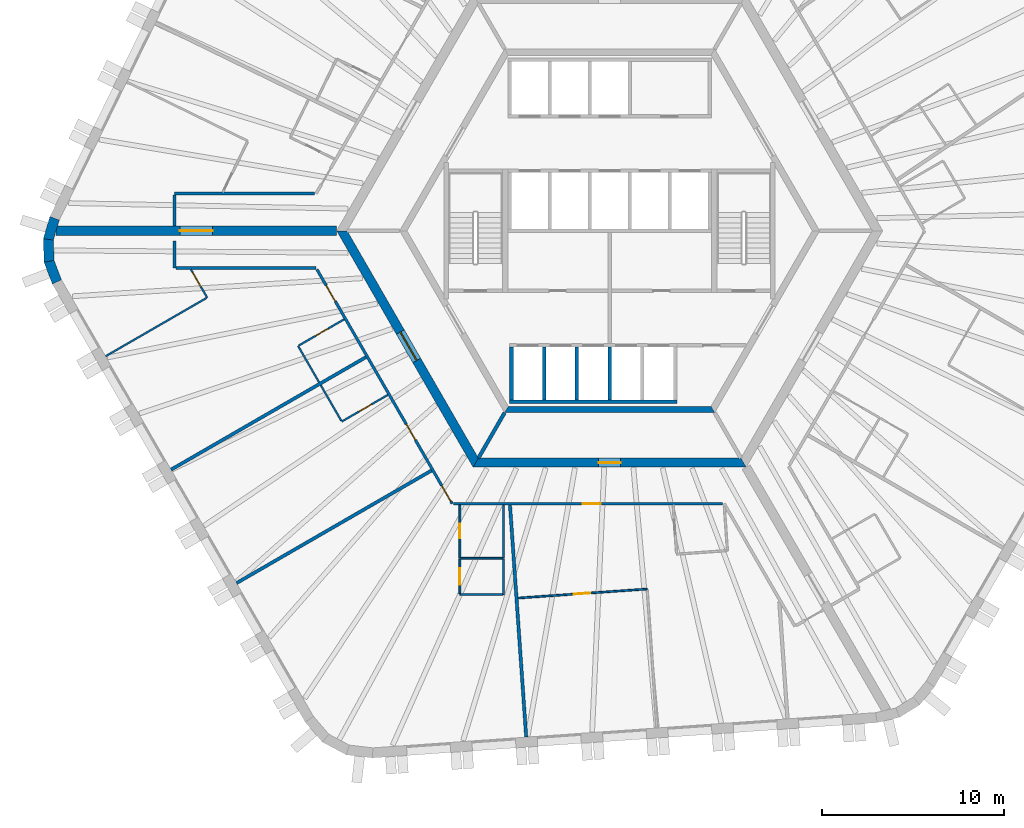
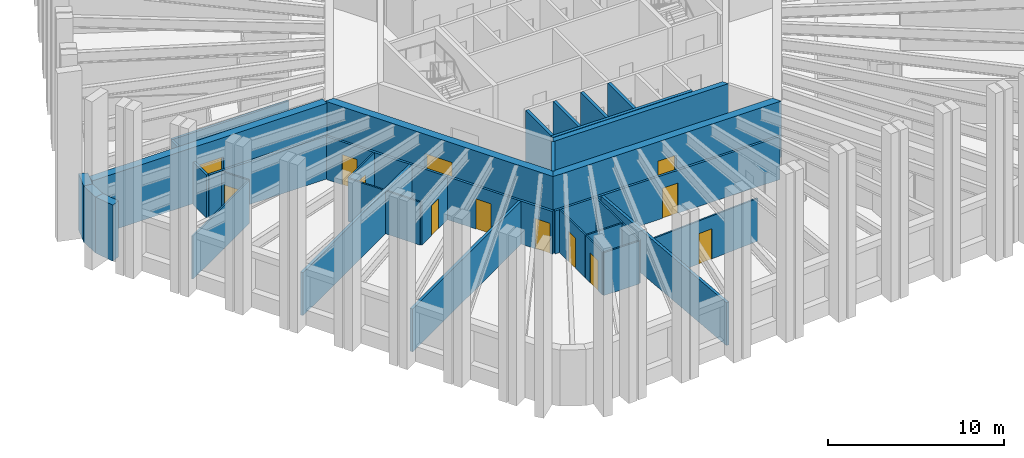
# One storey, part 3 of 11: 35 walls, 13 doors, 13 openings.
"""IFC4 building model written with IfcOpenShell, lengths in metres."""

from ifc_helpers import new_model, si_unit, direction, frame, frame_2d, origin, place, context, subcontext, project, spatial, polyline, rectangle, outline, extrude, material, layer, layer_set, type_object, element, fill, save


model = new_model("IFC4")

# Units and contexts
model_context = context("Model", 3, precision=1e-05, world=origin(), true_north=direction((0.0, 1.0)))
body_context = subcontext(model_context, "Body", "Model", "MODEL_VIEW")
ifc_project = project(units=[si_unit("LENGTHUNIT", "METRE"), si_unit("AREAUNIT", "SQUARE_METRE"), si_unit("VOLUMEUNIT", "CUBIC_METRE"), si_unit("PLANEANGLEUNIT", "RADIAN"), si_unit("MASSUNIT", "GRAM", prefix="KILO")], contexts=[model_context])

# Site, building, storey
site_placement = place(None, origin())
site = spatial("IfcSite", under=ifc_project, at=site_placement, CompositionType="ELEMENT")
building_placement = place(site_placement, origin())
building = spatial("IfcBuilding", under=site, at=building_placement, Name="Tarnside Tower", CompositionType="ELEMENT")
storey_placement = place(building_placement, frame((0.0, 0.0, 183.89990234375)))
storey = spatial("IfcBuildingStorey", under=building, at=storey_placement, Name="L43", CompositionType="ELEMENT", Elevation=183.89990234375)

# Wall
ifc_material_1 = material(Name="Gypsum board partition on steel studs", Category="steel")
ifc_layer_1 = layer(ifc_material_1, 0.10009765625)
ifc_layer_set_1 = layer_set([ifc_layer_1], Name="Bathroom wall 100")
wall_type_1 = type_object("IfcWallType", Name="Bathroom wall 100", PredefinedType="PARTITIONING", material=ifc_layer_set_1)
wall_1_placement = place(storey_placement, frame((-15.974609375, -8.331298828125, 0.0), z_axis=(0.0, 0.0, 1.0), x_axis=(-0.500015210774, 0.866016621662, 0.0)))
element("IfcWall", 1, at=wall_1_placement, inside=storey, type_object=wall_type_1, Name="Bathroom wall 14077", PredefinedType="PARTITIONING", context=body_context, shape_type="SweptSolid", body=[
    extrude(rectangle(XDim=2.31005859375, YDim=0.10009765625, at=frame_2d((1.155029296875, 0.0))), origin(), (0.0, 0.0, 1.0), 2.98779296875),
])

# Wall, opening, door
wall_2_placement = place(storey_placement, frame((-17.086181640625, -6.305908203125, 0.0), z_axis=(0.0, 0.0, 1.0), x_axis=(0.866018712932, 0.500011588718, 0.0)))
wall_2 = element("IfcWall", 2, at=wall_2_placement, inside=storey, type_object=wall_type_1, Name="Bathroom wall 14078", PredefinedType="PARTITIONING", context=body_context, shape_type="SweptSolid", body=[
    extrude(rectangle(XDim=2.875, YDim=0.10009765625, at=frame_2d((1.4375, 0.0))), origin(), (0.0, 0.0, 1.0), 2.98779296875),
])
opening_1_placement = place(wall_2_placement, frame((1.050048828125, 0.0, 0.0)))
opening_1 = element("IfcOpeningElement", 3, at=opening_1_placement, cuts=wall_2, Name="Opening D-B1", PredefinedType="OPENING", context=body_context, shape_type="SweptSolid", body=[
    extrude(rectangle(XDim=0.800048828125, YDim=2.10009765625, at=frame_2d((0.39990234375, 1.050048828125))), frame((0.0, 0.06005859375, 0.0), z_axis=(0.0, -1.0, 0.0), x_axis=(1.0, 0.0, 0.0)), (0.0, 0.0, 1.0), 0.1201171875),
])
ifc_material_2 = material(Name="Timber door leaf", Category="wood")
door_type_1 = type_object("IfcDoorType", Name="Bathroom door 800", OperationType="NOTDEFINED", PredefinedType="DOOR", material=ifc_material_2)
door_1_placement = place(opening_1_placement, origin())
door_1 = element("IfcDoor", 4, at=door_1_placement, inside=storey, type_object=door_type_1, Name="Bathroom door 14014", OperationType="SINGLE_SWING_RIGHT", OverallHeight=2.10009765625, OverallWidth=0.800048828125, PredefinedType="DOOR", context=body_context, shape_type="SweptSolid", body=[
    extrude(rectangle(XDim=0.800048828125, YDim=2.10009765625, at=frame_2d((0.39990234375, 1.050048828125))), frame((0.0, 0.02490234375, 0.0), z_axis=(0.0, -1.0, 0.0), x_axis=(1.0, 0.0, 0.0)), (0.0, 0.0, 1.0), 0.050048828125),
])
fill(opening_1, door_1)

wall_3_placement = place(storey_placement, frame((-12.1962890625, -9.025146484375, 0.0), z_axis=(0.0, 0.0, 1.0), x_axis=(-0.86601045545, -0.500025890382, 0.0)))
wall_3 = element("IfcWall", 5, at=wall_3_placement, inside=storey, type_object=wall_type_1, Name="Bathroom wall 14083", PredefinedType="PARTITIONING", context=body_context, shape_type="SweptSolid", body=[
    extrude(rectangle(XDim=2.925048828125, YDim=0.10009765625, at=frame_2d((1.46240234375, 0.0))), origin(), (0.0, 0.0, 1.0), 2.98779296875),
])
opening_2_placement = place(wall_3_placement, frame((1.02490234375, 0.0, 0.0)))
opening_2 = element("IfcOpeningElement", 6, at=opening_2_placement, cuts=wall_3, Name="Opening D-B1", PredefinedType="OPENING", context=body_context, shape_type="SweptSolid", body=[
    extrude(rectangle(XDim=0.800048828125, YDim=2.10009765625, at=frame_2d((0.39990234375, 1.050048828125))), frame((0.0, 0.06005859375, 0.0), z_axis=(0.0, -1.0, 0.0), x_axis=(1.0, 0.0, 0.0)), (0.0, 0.0, 1.0), 0.1201171875),
])
door_2_placement = place(opening_2_placement, origin())
door_2 = element("IfcDoor", 7, at=door_2_placement, inside=storey, type_object=door_type_1, Name="Bathroom door 14017", OperationType="SINGLE_SWING_RIGHT", OverallHeight=2.10009765625, OverallWidth=0.800048828125, PredefinedType="DOOR", context=body_context, shape_type="SweptSolid", body=[
    extrude(rectangle(XDim=0.800048828125, YDim=2.10009765625, at=frame_2d((0.39990234375, 1.050048828125))), frame((0.0, 0.02490234375, 0.0), z_axis=(0.0, -1.0, 0.0), x_axis=(1.0, 0.0, 0.0)), (0.0, 0.0, 1.0), 0.050048828125),
])
fill(opening_2, door_2)

# Wall
wall_4_placement = place(storey_placement, frame((-14.754638671875, -10.4443359375, 0.0), z_axis=(0.0, 0.0, 1.0), x_axis=(-0.4999967785, 0.866027263711, 0.0)))
element("IfcWall", 8, at=wall_4_placement, inside=storey, type_object=wall_type_1, Name="Bathroom wall 14084", PredefinedType="PARTITIONING", context=body_context, shape_type="SweptSolid", body=[
    extrude(rectangle(XDim=2.259765625, YDim=0.10009765625, at=frame_2d((1.1298828125, 0.0))), origin(), (0.0, 0.0, 1.0), 2.98779296875),
])

# Wall, opening, door
wall_5_placement = place(storey_placement, frame((-8.23486328125, -18.0, 0.0), z_axis=(0.0, 0.0, 1.0), x_axis=(0.0, 1.0, 0.0)))
wall_5 = element("IfcWall", 9, at=wall_5_placement, inside=storey, type_object=wall_type_1, Name="Bathroom wall 14086", PredefinedType="PARTITIONING", context=body_context, shape_type="SweptSolid", body=[
    extrude(rectangle(XDim=2.925048828125, YDim=0.10009765625, at=frame_2d((1.46240234375, 0.0))), origin(), (0.0, 0.0, 1.0), 2.98779296875),
])
opening_3_placement = place(wall_5_placement, frame((1.10009765625, 0.0, 0.0)))
opening_3 = element("IfcOpeningElement", 10, at=opening_3_placement, cuts=wall_5, Name="Opening D-B1", PredefinedType="OPENING", context=body_context, shape_type="SweptSolid", body=[
    extrude(rectangle(XDim=0.800048828125, YDim=2.10009765625, at=frame_2d((0.39990234375, 1.050048828125))), frame((0.0, 0.06005859375, 0.0), z_axis=(0.0, -1.0, 0.0), x_axis=(1.0, 0.0, 0.0)), (0.0, 0.0, 1.0), 0.1201171875),
])
door_3_placement = place(opening_3_placement, origin())
door_3 = element("IfcDoor", 11, at=door_3_placement, inside=storey, type_object=door_type_1, Name="Bathroom door 14019", OperationType="SINGLE_SWING_LEFT", OverallHeight=2.10009765625, OverallWidth=0.800048828125, PredefinedType="DOOR", context=body_context, shape_type="SweptSolid", body=[
    extrude(rectangle(XDim=0.800048828125, YDim=2.10009765625, at=frame_2d((0.39990234375, 1.050048828125))), frame((0.0, 0.02490234375, 0.0), z_axis=(0.0, -1.0, 0.0), x_axis=(1.0, 0.0, 0.0)), (0.0, 0.0, 1.0), 0.050048828125),
])
fill(opening_3, door_3)

# Walls
wall_6_placement = place(storey_placement, frame((-5.8349609375, -15.074951171875, 0.0), z_axis=(0.0, 0.0, 1.0), x_axis=(0.0, -1.0, 0.0)))
element("IfcWall", 12, at=wall_6_placement, inside=storey, type_object=wall_type_1, Name="Bathroom wall 14087", PredefinedType="PARTITIONING", context=body_context, shape_type="SweptSolid", body=[
    extrude(rectangle(XDim=2.925048828125, YDim=0.10009765625, at=frame_2d((1.46240234375, 0.0))), origin(), (0.0, 0.0, 1.0), 2.98779296875),
])
wall_7_placement = place(storey_placement, frame((-8.18505859375, -18.0, 0.0), z_axis=(0.0, 0.0, 1.0), x_axis=(1.0, 0.0, 0.0)))
element("IfcWall", 13, at=wall_7_placement, inside=storey, type_object=wall_type_1, Name="Bathroom wall 14093", PredefinedType="PARTITIONING", context=body_context, shape_type="SweptSolid", body=[
    extrude(rectangle(XDim=2.300048828125, YDim=0.10009765625, at=frame_2d((1.14990234375, 0.0))), origin(), (0.0, 0.0, 1.0), 2.98779296875),
])
ifc_material_3 = material(Name="Concrete C50/60", Category="concrete")
ifc_layer_2 = layer(ifc_material_3, 0.35009765625)
ifc_layer_set_2 = layer_set([ifc_layer_2], Name="Core block wall 350 C50/60")
wall_type_2 = type_object("IfcWallType", Name="Core block wall 350 C50/60", PredefinedType="SHEAR", material=ifc_layer_set_2)
wall_8_placement = place(storey_placement, frame((-5.672607421875, -9.824951171875, -0.14990234375), z_axis=(0.0, 0.0, 1.0), x_axis=(1.0, 0.0, 0.0)))
element("IfcWall", 14, at=wall_8_placement, inside=storey, type_object=wall_type_2, Name="L43 core block wall face 4", PredefinedType="SHEAR", context=body_context, shape_type="SweptSolid", body=[
    extrude(outline(polyline([(-0.10107421875, -0.175048828125), (11.4462890625, -0.175048828125), (11.244140625, 0.175048828125), (0.10107421875, 0.175048828125), (-0.10107421875, -0.175048828125)])), origin(), (0.0, 0.0, 1.0), 3.89990234375),
])

# Wall, opening, door
ifc_material_4 = material(Name="Concrete C70/85", Category="concrete")
ifc_layer_3 = layer(ifc_material_4, 0.5)
ifc_layer_set_3 = layer_set([ifc_layer_3], Name="Core wall Z2 500 C70/85")
wall_type_3 = type_object("IfcWallType", Name="Core wall Z2 500 C70/85", PredefinedType="SHEAR", material=ifc_layer_set_3)
wall_9_placement = place(storey_placement, frame((-14.722412109375, 0.0, -0.14990234375), z_axis=(0.0, 0.0, 1.0), x_axis=(0.50000571537, -0.866022103989, 0.0)))
wall_9 = element("IfcWall", 15, at=wall_9_placement, inside=storey, type_object=wall_type_3, Name="L43 core wall face 3", PredefinedType="SHEAR", context=body_context, shape_type="SweptSolid", body=[
    extrude(outline(polyline([(-0.144287109375, -0.25), (14.86669921875, -0.25), (14.578125, 0.25), (0.144287109375, 0.25), (-0.144287109375, -0.25)])), origin(), (0.0, 0.0, 1.0), 3.89990234375),
])
opening_4_placement = place(wall_9_placement, frame((6.432373046875, 0.0, 0.14990234375)))
opening_4 = element("IfcOpeningElement", 16, at=opening_4_placement, cuts=wall_9, Name="Opening CD-FFL", PredefinedType="OPENING", context=body_context, shape_type="SweptSolid", body=[
    extrude(rectangle(XDim=1.800048828125, YDim=2.39990234375, at=frame_2d((0.89990234375, 1.199951171875))), frame((0.0, 0.260009765625, 0.0), z_axis=(0.0, -1.0, 0.0), x_axis=(1.0, 0.0, 0.0)), (0.0, 0.0, 1.0), 0.52001953125),
])
ifc_material_5 = material(Name="Steel fire door", Category="steel")
door_type_2 = type_object("IfcDoorType", Name="Firefighting lobby double door FD60S 1800x2400", OperationType="NOTDEFINED", PredefinedType="DOOR", material=ifc_material_5)
door_4_placement = place(opening_4_placement, origin())
door_4 = element("IfcDoor", 17, at=door_4_placement, inside=storey, type_object=door_type_2, Name="L43 core door P3", OperationType="DOUBLE_DOOR_SINGLE_SWING", OverallHeight=2.39990234375, OverallWidth=1.800048828125, PredefinedType="DOOR", context=body_context, shape_type="SweptSolid", body=[
    extrude(rectangle(XDim=1.800048828125, YDim=2.39990234375, at=frame_2d((0.89990234375, 1.199951171875))), frame((0.0, 0.02490234375, 0.0), z_axis=(0.0, -1.0, 0.0), x_axis=(1.0, 0.0, 0.0)), (0.0, 0.0, 1.0), 0.050048828125),
])
fill(opening_4, door_4)

wall_10_placement = place(storey_placement, frame((-7.361083984375, -12.75, -0.14990234375), z_axis=(0.0, 0.0, 1.0), x_axis=(1.0, 0.0, 0.0)))
wall_10 = element("IfcWall", 18, at=wall_10_placement, inside=storey, type_object=wall_type_3, Name="L43 core wall face 4", PredefinedType="SHEAR", context=body_context, shape_type="SweptSolid", body=[
    extrude(outline(polyline([(-0.144287109375, -0.25), (14.866455078125, -0.25), (14.577880859375, 0.25), (0.144287109375, 0.25), (-0.144287109375, -0.25)])), origin(), (0.0, 0.0, 1.0), 3.89990234375),
])
opening_5_placement = place(wall_10_placement, frame((6.76123046875, 0.0, 0.14990234375)))
opening_5 = element("IfcOpeningElement", 19, at=opening_5_placement, cuts=wall_10, Name="Opening CD-RSR", PredefinedType="OPENING", context=body_context, shape_type="SweptSolid", body=[
    extrude(rectangle(XDim=1.199951171875, YDim=2.39990234375, at=frame_2d((0.60009765625, 1.199951171875))), frame((0.0, 0.260009765625, 0.0), z_axis=(0.0, -1.0, 0.0), x_axis=(1.0, 0.0, 0.0)), (0.0, 0.0, 1.0), 0.52001953125),
])
door_type_3 = type_object("IfcDoorType", Name="Riser door FD60 1200x2400", OperationType="NOTDEFINED", PredefinedType="DOOR", material=ifc_material_5)
door_5_placement = place(opening_5_placement, origin())
door_5 = element("IfcDoor", 20, at=door_5_placement, inside=storey, type_object=door_type_3, Name="L43 core door S6", OperationType="SINGLE_SWING_LEFT", OverallHeight=2.39990234375, OverallWidth=1.199951171875, PredefinedType="DOOR", context=body_context, shape_type="SweptSolid", body=[
    extrude(rectangle(XDim=1.199951171875, YDim=2.39990234375, at=frame_2d((0.60009765625, 1.199951171875))), frame((0.0, 0.02490234375, 0.0), z_axis=(0.0, -1.0, 0.0), x_axis=(1.0, 0.0, 0.0)), (0.0, 0.0, 1.0), 0.050048828125),
])
fill(opening_5, door_5)

wall_11_placement = place(storey_placement, frame((-15.010986328125, 0.0, -0.14990234375), z_axis=(0.0, 0.0, 1.0), x_axis=(-1.0, 0.0, 0.0)))
wall_11 = element("IfcWall", 21, at=wall_11_placement, inside=storey, type_object=wall_type_3, Name="L43 spine wall 2", PredefinedType="SHEAR", context=body_context, shape_type="SweptSolid", body=[
    extrude(rectangle(XDim=15.423828125, YDim=0.5, at=frame_2d((7.7119140625, 0.0))), origin(), (0.0, 0.0, 1.0), 3.89990234375),
])
opening_6_placement = place(wall_11_placement, frame((6.811767578125, 0.0, 0.14990234375)))
opening_6 = element("IfcOpeningElement", 22, at=opening_6_placement, cuts=wall_11, Name="Opening CD-SPN", PredefinedType="OPENING", context=body_context, shape_type="SweptSolid", body=[
    extrude(rectangle(XDim=1.800048828125, YDim=2.39990234375, at=frame_2d((0.89990234375, 1.199951171875))), frame((0.0, 0.260009765625, 0.0), z_axis=(0.0, -1.0, 0.0), x_axis=(1.0, 0.0, 0.0)), (0.0, 0.0, 1.0), 0.52001953125),
])
door_type_4 = type_object("IfcDoorType", Name="Spine passage double door FD60 1800x2400", OperationType="NOTDEFINED", PredefinedType="DOOR", material=ifc_material_5)
door_6_placement = place(opening_6_placement, origin())
door_6 = element("IfcDoor", 23, at=door_6_placement, inside=storey, type_object=door_type_4, Name="L43 spine passage door 2", OperationType="DOUBLE_DOOR_SINGLE_SWING", OverallHeight=2.39990234375, OverallWidth=1.800048828125, PredefinedType="DOOR", context=body_context, shape_type="SweptSolid", body=[
    extrude(rectangle(XDim=1.800048828125, YDim=2.39990234375, at=frame_2d((0.89990234375, 1.199951171875))), frame((0.0, 0.02490234375, 0.0), z_axis=(0.0, -1.0, 0.0), x_axis=(1.0, 0.0, 0.0)), (0.0, 0.0, 1.0), 0.050048828125),
])
fill(opening_6, door_6)

# Walls
ifc_layer_4 = layer(ifc_material_1, 0.14990234375)
ifc_layer_set_4 = layer_set([ifc_layer_4], Name="Corridor wall 150 EI 60")
wall_type_4 = type_object("IfcWallType", Name="Corridor wall 150 EI 60", PredefinedType="PARTITIONING", material=ifc_layer_set_4)
wall_12_placement = place(storey_placement, frame((-16.2236328125, 2.050048828125, 0.0), z_axis=(0.0, 0.0, 1.0), x_axis=(-1.0, 0.0, 0.0)))
element("IfcWall", 24, at=wall_12_placement, inside=storey, type_object=wall_type_4, Name="Corridor wall 14015", PredefinedType="PARTITIONING", context=body_context, shape_type="SweptSolid", body=[
    extrude(rectangle(XDim=7.69921875, YDim=0.14990234375, at=frame_2d((3.849609375, 0.0))), origin(), (0.0, 0.0, 1.0), 2.98779296875),
])
wall_13_placement = place(storey_placement, frame((-23.9228515625, 1.97509765625, 0.0), z_axis=(0.0, 0.0, 1.0), x_axis=(0.0, -1.0, 0.0)))
element("IfcWall", 25, at=wall_13_placement, inside=storey, type_object=wall_type_4, Name="Corridor wall 14018", PredefinedType="PARTITIONING", context=body_context, shape_type="SweptSolid", body=[
    extrude(rectangle(XDim=1.72509765625, YDim=0.14990234375, at=frame_2d((0.862548828125, 0.0))), origin(), (0.0, 0.0, 1.0), 2.98779296875),
])
wall_14_placement = place(storey_placement, frame((-23.847900390625, -2.050048828125, 0.0), z_axis=(0.0, 0.0, 1.0), x_axis=(1.0, 0.0, 0.0)))
element("IfcWall", 26, at=wall_14_placement, inside=storey, type_object=wall_type_4, Name="Corridor wall 14019", PredefinedType="PARTITIONING", context=body_context, shape_type="SweptSolid", body=[
    extrude(rectangle(XDim=7.7109375, YDim=0.14990234375, at=frame_2d((3.85546875, 0.0))), origin(), (0.0, 0.0, 1.0), 2.98779296875),
])

# Wall, openings, doors
wall_15_placement = place(storey_placement, frame((-16.09375, -2.125, 0.0), z_axis=(0.0, 0.0, 1.0), x_axis=(0.500010545262, -0.866019315389, 0.0)))
wall_15 = element("IfcWall", 27, at=wall_15_placement, inside=storey, type_object=wall_type_4, Name="Corridor wall 14020", PredefinedType="PARTITIONING", context=body_context, shape_type="SweptSolid", body=[
    extrude(rectangle(XDim=14.866943359375, YDim=0.14990234375, at=frame_2d((7.43359375, 0.0))), origin(), (0.0, 0.0, 1.0), 2.98779296875),
])
opening_7_placement = place(wall_15_placement, frame((1.018798828125, 0.0, 0.0)))
opening_7 = element("IfcOpeningElement", 28, at=opening_7_placement, cuts=wall_15, Name="Opening D-E1", PredefinedType="OPENING", context=body_context, shape_type="SweptSolid", body=[
    extrude(rectangle(XDim=1.0, YDim=2.10009765625, at=frame_2d((0.5, 1.050048828125))), frame((0.0, 0.0849609375, 0.0), z_axis=(0.0, -1.0, 0.0), x_axis=(1.0, 0.0, 0.0)), (0.0, 0.0, 1.0), 0.169921875),
])
opening_8_placement = place(wall_15_placement, frame((9.824462890625, 0.0, 0.0)))
opening_8 = element("IfcOpeningElement", 29, at=opening_8_placement, cuts=wall_15, Name="Opening D-E1", PredefinedType="OPENING", context=body_context, shape_type="SweptSolid", body=[
    extrude(rectangle(XDim=1.0, YDim=2.10009765625, at=frame_2d((0.5, 1.050048828125))), frame((0.0, 0.0849609375, 0.0), z_axis=(0.0, -1.0, 0.0), x_axis=(1.0, 0.0, 0.0)), (0.0, 0.0, 1.0), 0.169921875),
])
opening_9_placement = place(wall_15_placement, frame((13.716796875, 0.0, 0.0)))
opening_9 = element("IfcOpeningElement", 30, at=opening_9_placement, cuts=wall_15, Name="Opening D-E1", PredefinedType="OPENING", context=body_context, shape_type="SweptSolid", body=[
    extrude(rectangle(XDim=1.0, YDim=2.10009765625, at=frame_2d((0.5, 1.050048828125))), frame((0.0, 0.0849609375, 0.0), z_axis=(0.0, -1.0, 0.0), x_axis=(1.0, 0.0, 0.0)), (0.0, 0.0, 1.0), 0.169921875),
])
door_type_5 = type_object("IfcDoorType", Name="Unit entrance door 1000 FD30S", OperationType="NOTDEFINED", PredefinedType="DOOR", material=ifc_material_2)
door_7_placement = place(opening_7_placement, origin())
door_7 = element("IfcDoor", 31, at=door_7_placement, inside=storey, type_object=door_type_5, Name="Unit door 14013", OperationType="SINGLE_SWING_RIGHT", OverallHeight=2.10009765625, OverallWidth=1.0, PredefinedType="DOOR", context=body_context, shape_type="SweptSolid", body=[
    extrude(rectangle(XDim=1.0, YDim=2.10009765625, at=frame_2d((0.5, 1.050048828125))), frame((0.0, 0.02490234375, 0.0), z_axis=(0.0, -1.0, 0.0), x_axis=(1.0, 0.0, 0.0)), (0.0, 0.0, 1.0), 0.050048828125),
])
fill(opening_7, door_7)
door_8_placement = place(opening_8_placement, origin())
door_8 = element("IfcDoor", 32, at=door_8_placement, inside=storey, type_object=door_type_5, Name="Unit door 14016", OperationType="SINGLE_SWING_RIGHT", OverallHeight=2.10009765625, OverallWidth=1.0, PredefinedType="DOOR", context=body_context, shape_type="SweptSolid", body=[
    extrude(rectangle(XDim=1.0, YDim=2.10009765625, at=frame_2d((0.5, 1.050048828125))), frame((0.0, 0.02490234375, 0.0), z_axis=(0.0, -1.0, 0.0), x_axis=(1.0, 0.0, 0.0)), (0.0, 0.0, 1.0), 0.050048828125),
])
fill(opening_8, door_8)
door_9_placement = place(opening_9_placement, origin())
door_9 = element("IfcDoor", 33, at=door_9_placement, inside=storey, type_object=door_type_5, Name="Unit door 14018", OperationType="SINGLE_SWING_LEFT", OverallHeight=2.10009765625, OverallWidth=1.0, PredefinedType="DOOR", context=body_context, shape_type="SweptSolid", body=[
    extrude(rectangle(XDim=1.0, YDim=2.10009765625, at=frame_2d((0.5, 1.050048828125))), frame((0.0, 0.02490234375, 0.0), z_axis=(0.0, -1.0, 0.0), x_axis=(1.0, 0.0, 0.0)), (0.0, 0.0, 1.0), 0.050048828125),
])
fill(opening_9, door_9)

# Wall
wall_16_placement = place(storey_placement, frame((-23.9228515625, -0.564208984375, 0.0), z_axis=(0.0, 0.0, 1.0), x_axis=(0.0, -1.0, 0.0)))
element("IfcWall", 34, at=wall_16_placement, inside=storey, type_object=wall_type_4, Name="Corridor wall 14022", PredefinedType="PARTITIONING", context=body_context, shape_type="SweptSolid", body=[
    extrude(rectangle(XDim=1.48583984375, YDim=0.14990234375, at=frame_2d((0.742919921875, 0.0))), origin(), (0.0, 0.0, 1.0), 2.98779296875),
])

# Wall, opening, door
wall_17_placement = place(storey_placement, frame((-8.57373046875, -15.0, 0.0), z_axis=(0.0, 0.0, 1.0), x_axis=(1.0, 0.0, 0.0)))
wall_17 = element("IfcWall", 35, at=wall_17_placement, inside=storey, type_object=wall_type_4, Name="Corridor wall 14027", PredefinedType="PARTITIONING", context=body_context, shape_type="SweptSolid", body=[
    extrude(rectangle(XDim=14.7802734375, YDim=0.14990234375, at=frame_2d((7.39013671875, 0.0))), origin(), (0.0, 0.0, 1.0), 2.98779296875),
])
opening_10_placement = place(wall_17_placement, frame((7.0810546875, 0.0, 0.0)))
opening_10 = element("IfcOpeningElement", 36, at=opening_10_placement, cuts=wall_17, Name="Opening D-E1", PredefinedType="OPENING", context=body_context, shape_type="SweptSolid", body=[
    extrude(rectangle(XDim=1.0, YDim=2.10009765625, at=frame_2d((0.5, 1.050048828125))), frame((0.0, 0.0849609375, 0.0), z_axis=(0.0, -1.0, 0.0), x_axis=(1.0, 0.0, 0.0)), (0.0, 0.0, 1.0), 0.169921875),
])
door_10_placement = place(opening_10_placement, origin())
door_10 = element("IfcDoor", 37, at=door_10_placement, inside=storey, type_object=door_type_5, Name="Unit door 14021", OperationType="SINGLE_SWING_RIGHT", OverallHeight=2.10009765625, OverallWidth=1.0, PredefinedType="DOOR", context=body_context, shape_type="SweptSolid", body=[
    extrude(rectangle(XDim=1.0, YDim=2.10009765625, at=frame_2d((0.5, 1.050048828125))), frame((0.0, 0.02490234375, 0.0), z_axis=(0.0, -1.0, 0.0), x_axis=(1.0, 0.0, 0.0)), (0.0, 0.0, 1.0), 0.050048828125),
])
fill(opening_10, door_10)

# Walls
ifc_layer_5 = layer(ifc_material_1, 0.179931640625)
ifc_layer_set_5 = layer_set([ifc_layer_5], Name="Demising wall 180 EI 60")
wall_type_5 = type_object("IfcWallType", Name="Demising wall 180 EI 60", PredefinedType="PARTITIONING", material=ifc_layer_set_5)
for number, where, z_axis, x_axis, name in (
    (38, (-24.113525390625, -13.13427734375, 0.0), (0.0, 0.0, 1.0), (0.866024931941, 0.500000817256, 0.0), "Demising wall 14081"),
    (39, (-20.513427734375, -19.36962890625, 0.0), (0.0, 0.0, 1.0), (0.866024931941, 0.500000817256, 0.0), "Demising wall 14085"),
):
    element("IfcWall", number, at=place(storey_placement, frame(where, z_axis=z_axis, x_axis=x_axis)), inside=storey, type_object=wall_type_5, Name=name, PredefinedType="PARTITIONING", context=body_context, shape_type="SweptSolid", body=[
        extrude(rectangle(XDim=12.375, YDim=0.179931640625, at=frame_2d((6.1875, 0.0))), origin(), (0.0, 0.0, 1.0), 2.98779296875),
    ])
wall_18_placement = place(storey_placement, frame((-4.587158203125, -27.837890625, 0.0), z_axis=(0.0, 0.0, 1.0), x_axis=(-0.069764754112, 0.997563471206, 0.0)))
element("IfcWall", 40, at=wall_18_placement, inside=storey, type_object=wall_type_5, Name="Demising wall 14091", PredefinedType="PARTITIONING", context=body_context, shape_type="SweptSolid", body=[
    extrude(rectangle(XDim=12.794189453125, YDim=0.179931640625, at=frame_2d((6.39697265625, 0.0))), origin(), (0.0, 0.0, 1.0), 2.98779296875),
])
ifc_material_6 = material(Name="Concrete C40/50", Category="concrete")
ifc_layer_6 = layer(ifc_material_6, 0.199951171875)
ifc_layer_set_6 = layer_set([ifc_layer_6], Name="Lift shaft wall 200 C40/50")
wall_type_6 = type_object("IfcWallType", Name="Lift shaft wall 200 C40/50", PredefinedType="SHEAR", material=ifc_layer_set_6)
wall_19_placement = place(storey_placement, frame((-5.5, -9.39990234375, -0.25), z_axis=(0.0, 0.0, 1.0), x_axis=(1.0, 0.0, 0.0)))
element("IfcWall", 41, at=wall_19_placement, inside=storey, type_object=wall_type_6, Name="L43 lift shaft back wall R4", PredefinedType="SHEAR", context=body_context, shape_type="SweptSolid", body=[
    extrude(rectangle(XDim=9.199951171875, YDim=0.199951171875, at=frame_2d((4.60009765625, 0.0))), origin(), (0.0, 0.0, 1.0), 3.900146484375),
])
for number, where, z_axis, x_axis, name in (
    (42, (-5.39990234375, -9.300048828125, -0.25), (0.0, 0.0, 1.0), (0.0, 1.0, 0.0), "L43 lift shaft partition R41"),
    (43, (-3.60009765625, -9.300048828125, -0.25), (0.0, 0.0, 1.0), (0.0, 1.0, 0.0), "L43 lift shaft partition R42"),
    (44, (-1.800048828125, -9.300048828125, -0.25), (0.0, 0.0, 1.0), (0.0, 1.0, 0.0), "L43 lift shaft partition R43"),
    (45, (0.0, -9.300048828125, -0.25), (0.0, 0.0, 1.0), (0.0, 1.0, 0.0), "L43 lift shaft partition R44"),
):
    element("IfcWall", number, at=place(storey_placement, frame(where, z_axis=z_axis, x_axis=x_axis)), inside=storey, type_object=wall_type_6, Name=name, PredefinedType="SHEAR", context=body_context, shape_type="SweptSolid", body=[
        extrude(rectangle(XDim=2.900146484375, YDim=0.199951171875, at=frame_2d((1.4501953125, 0.0))), origin(), (0.0, 0.0, 1.0), 3.900146484375),
    ])
wall_20_placement = place(storey_placement, frame((-5.7734375, -10.0, -0.14990234375), z_axis=(0.0, 0.0, 1.0), x_axis=(-0.499995765644, -0.866027848477, 0.0)))
element("IfcWall", 46, at=wall_20_placement, inside=storey, type_object=wall_type_6, Name="L43 core partition AR240", PredefinedType="SHEAR", context=body_context, shape_type="SweptSolid", body=[
    extrude(rectangle(XDim=2.88671875, YDim=0.199951171875, at=frame_2d((1.443359375, 0.0))), origin(), (0.0, 0.0, 1.0), 3.89990234375),
])

# Wall, opening, door
ifc_layer_7 = layer(ifc_material_1, 0.10009765625)
ifc_layer_set_7 = layer_set([ifc_layer_7], Name="Partition 100")
wall_type_7 = type_object("IfcWallType", Name="Partition 100", PredefinedType="PARTITIONING", material=ifc_layer_set_7)
wall_21_placement = place(storey_placement, frame((-23.021728515625, -2.125, 0.0), z_axis=(0.0, 0.0, 1.0), x_axis=(0.499927291608, -0.866067377925, 0.0)))
wall_21 = element("IfcWall", 47, at=wall_21_placement, inside=storey, type_object=wall_type_7, Name="Partition wall 14079", PredefinedType="PARTITIONING", context=body_context, shape_type="SweptSolid", body=[
    extrude(rectangle(XDim=1.788330078125, YDim=0.10009765625, at=frame_2d((0.89404296875, 0.0))), origin(), (0.0, 0.0, 1.0), 2.98779296875),
])
opening_11_placement = place(wall_21_placement, frame((0.199951171875, 0.0, 0.0)))
opening_11 = element("IfcOpeningElement", 48, at=opening_11_placement, cuts=wall_21, Name="Opening D-I1", PredefinedType="OPENING", context=body_context, shape_type="SweptSolid", body=[
    extrude(rectangle(XDim=0.89990234375, YDim=2.10009765625, at=frame_2d((0.449951171875, 1.050048828125))), frame((0.0, 0.06005859375, 0.0), z_axis=(0.0, -1.0, 0.0), x_axis=(1.0, 0.0, 0.0)), (0.0, 0.0, 1.0), 0.1201171875),
])
door_type_6 = type_object("IfcDoorType", Name="Internal door 900", OperationType="NOTDEFINED", PredefinedType="DOOR", material=ifc_material_2)
door_11_placement = place(opening_11_placement, origin())
door_11 = element("IfcDoor", 49, at=door_11_placement, inside=storey, type_object=door_type_6, Name="Internal door 14015", OperationType="SINGLE_SWING_RIGHT", OverallHeight=2.10009765625, OverallWidth=0.89990234375, PredefinedType="DOOR", context=body_context, shape_type="SweptSolid", body=[
    extrude(rectangle(XDim=0.89990234375, YDim=2.10009765625, at=frame_2d((0.449951171875, 1.050048828125))), frame((0.0, 0.02490234375, 0.0), z_axis=(0.0, -1.0, 0.0), x_axis=(1.0, 0.0, 0.0)), (0.0, 0.0, 1.0), 0.050048828125),
])
fill(opening_11, door_11)

# Walls
wall_22_placement = place(storey_placement, frame((-22.1708984375, -3.698974609375, 0.0), z_axis=(0.0, 0.0, 1.0), x_axis=(-0.866025499775, -0.499999833739, 0.0)))
element("IfcWall", 50, at=wall_22_placement, inside=storey, type_object=wall_type_7, Name="Partition wall 14080", PredefinedType="PARTITIONING", context=body_context, shape_type="SweptSolid", body=[
    extrude(rectangle(XDim=6.39990234375, YDim=0.10009765625, at=frame_2d((3.199951171875, 0.0))), origin(), (0.0, 0.0, 1.0), 2.98779296875),
])
wall_23_placement = place(storey_placement, frame((-5.8349609375, -18.050048828125, 0.0), z_axis=(0.0, 0.0, 1.0), x_axis=(0.0, -1.0, 0.0)))
element("IfcWall", 51, at=wall_23_placement, inside=storey, type_object=wall_type_7, Name="Partition wall 14088", PredefinedType="PARTITIONING", context=body_context, shape_type="SweptSolid", body=[
    extrude(rectangle(XDim=1.949951171875, YDim=0.10009765625, at=frame_2d((0.97509765625, 0.0))), origin(), (0.0, 0.0, 1.0), 2.98779296875),
])
wall_24_placement = place(storey_placement, frame((-5.885009765625, -20.0, 0.0), z_axis=(0.0, 0.0, 1.0), x_axis=(-1.0, 0.0, 0.0)))
element("IfcWall", 52, at=wall_24_placement, inside=storey, type_object=wall_type_7, Name="Partition wall 14089", PredefinedType="PARTITIONING", context=body_context, shape_type="SweptSolid", body=[
    extrude(rectangle(XDim=2.349853515625, YDim=0.10009765625, at=frame_2d((1.1748046875, 0.0))), origin(), (0.0, 0.0, 1.0), 2.98779296875),
])

# Wall, opening, door
wall_25_placement = place(storey_placement, frame((-8.23486328125, -19.949951171875, 0.0), z_axis=(0.0, 0.0, 1.0), x_axis=(0.0, 1.0, 0.0)))
wall_25 = element("IfcWall", 53, at=wall_25_placement, inside=storey, type_object=wall_type_7, Name="Partition wall 14090", PredefinedType="PARTITIONING", context=body_context, shape_type="SweptSolid", body=[
    extrude(rectangle(XDim=1.89990234375, YDim=0.10009765625, at=frame_2d((0.949951171875, 0.0))), origin(), (0.0, 0.0, 1.0), 2.98779296875),
])
opening_12_placement = place(wall_25_placement, frame((0.5, 0.0, 0.0)))
opening_12 = element("IfcOpeningElement", 54, at=opening_12_placement, cuts=wall_25, Name="Opening D-I1", PredefinedType="OPENING", context=body_context, shape_type="SweptSolid", body=[
    extrude(rectangle(XDim=0.89990234375, YDim=2.10009765625, at=frame_2d((0.449951171875, 1.050048828125))), frame((0.0, 0.06005859375, 0.0), z_axis=(0.0, -1.0, 0.0), x_axis=(1.0, 0.0, 0.0)), (0.0, 0.0, 1.0), 0.1201171875),
])
door_12_placement = place(opening_12_placement, origin())
door_12 = element("IfcDoor", 55, at=door_12_placement, inside=storey, type_object=door_type_6, Name="Internal door 14020", OperationType="SINGLE_SWING_LEFT", OverallHeight=2.10009765625, OverallWidth=0.89990234375, PredefinedType="DOOR", context=body_context, shape_type="SweptSolid", body=[
    extrude(rectangle(XDim=0.89990234375, YDim=2.10009765625, at=frame_2d((0.449951171875, 1.050048828125))), frame((0.0, 0.02490234375, 0.0), z_axis=(0.0, -1.0, 0.0), x_axis=(1.0, 0.0, 0.0)), (0.0, 0.0, 1.0), 0.050048828125),
])
fill(opening_12, door_12)

wall_26_placement = place(storey_placement, frame((-5.03173828125, -20.19189453125, 0.0), z_axis=(0.0, 0.0, 1.0), x_axis=(0.997562888251, 0.069773089251, 0.0)))
wall_26 = element("IfcWall", 56, at=wall_26_placement, inside=storey, type_object=wall_type_7, Name="Partition wall 14097", PredefinedType="PARTITIONING", context=body_context, shape_type="SweptSolid", body=[
    extrude(rectangle(XDim=7.110107421875, YDim=0.10009765625, at=frame_2d((3.55517578125, 0.0))), origin(), (0.0, 0.0, 1.0), 2.98779296875),
])
opening_13_placement = place(wall_26_placement, frame((3.06005859375, 0.0, 0.0)))
opening_13 = element("IfcOpeningElement", 57, at=opening_13_placement, cuts=wall_26, Name="Opening D-I1", PredefinedType="OPENING", context=body_context, shape_type="SweptSolid", body=[
    extrude(rectangle(XDim=0.89990234375, YDim=2.10009765625, at=frame_2d((0.449951171875, 1.050048828125))), frame((0.0, 0.06005859375, 0.0), z_axis=(0.0, -1.0, 0.0), x_axis=(1.0, 0.0, 0.0)), (0.0, 0.0, 1.0), 0.1201171875),
])
door_13_placement = place(opening_13_placement, origin())
door_13 = element("IfcDoor", 58, at=door_13_placement, inside=storey, type_object=door_type_6, Name="Internal door 14023", OperationType="SINGLE_SWING_RIGHT", OverallHeight=2.10009765625, OverallWidth=0.89990234375, PredefinedType="DOOR", context=body_context, shape_type="SweptSolid", body=[
    extrude(rectangle(XDim=0.89990234375, YDim=2.10009765625, at=frame_2d((0.449951171875, 1.050048828125))), frame((0.0, 0.02490234375, 0.0), z_axis=(0.0, -1.0, 0.0), x_axis=(1.0, 0.0, 0.0)), (0.0, 0.0, 1.0), 0.050048828125),
])
fill(opening_13, door_13)

# Walls
ifc_material_7 = material(Name="Facing brick", Category="masonry")
ifc_layer_8 = layer(ifc_material_7, 0.10205078125)
ifc_material_8 = material(Name="Concrete C60/75 precast", Category="concrete")
ifc_layer_9 = layer(ifc_material_8, 0.347900390625)
ifc_material_9 = material(Name="Mineral wool insulation")
ifc_layer_10 = layer(ifc_material_9, 0.10009765625)
ifc_layer_set_8 = layer_set([ifc_layer_8, ifc_layer_9, ifc_layer_10], Name="Tube wall 550 brick faced")
wall_type_8 = type_object("IfcWallType", Name="Tube wall 550 brick faced", PredefinedType="SOLIDWALL", material=ifc_layer_set_8)
wall_27_placement = place(storey_placement, frame((-30.51318359375, 0.684326171875, -0.14990234375), z_axis=(0.0, 0.0, 1.0), x_axis=(-0.286736058109, -0.958009620505, 0.0)))
element("IfcWall", 59, at=wall_27_placement, inside=storey, type_object=wall_type_8, Name="Tube wall L43 F2 chord 05", PredefinedType="SOLIDWALL", context=body_context, shape_type="SweptSolid", body=[
    extrude(outline(polyline([(-0.0224609375, -0.27490234375), (1.25341796875, -0.27490234375), (1.1630859375, 0.27490234375), (0.0224609375, 0.27490234375), (-0.0224609375, -0.27490234375)])), origin(), (0.0, 0.0, 1.0), 3.89990234375),
])
wall_28_placement = place(storey_placement, frame((-30.859619140625, -0.47314453125, -0.14990234375), z_axis=(0.0, 0.0, 1.0), x_axis=(0.03495638276, -0.999388838893, 0.0)))
element("IfcWall", 60, at=wall_28_placement, inside=storey, type_object=wall_type_8, Name="Tube wall L43 F2 chord 06", PredefinedType="SOLIDWALL", context=body_context, shape_type="SweptSolid", body=[
    extrude(outline(polyline([(-0.045166015625, -0.27490234375), (1.25341796875, -0.27490234375), (1.1630859375, 0.27490234375), (0.045166015625, 0.27490234375), (-0.045166015625, -0.27490234375)])), origin(), (0.0, 0.0, 1.0), 3.89990234375),
])
wall_29_placement = place(storey_placement, frame((-30.8173828125, -1.6806640625, -0.14990234375), z_axis=(0.0, 0.0, 1.0), x_axis=(0.352850303963, -0.935679786569, 0.0)))
element("IfcWall", 61, at=wall_29_placement, inside=storey, type_object=wall_type_8, Name="Tube wall L43 F2 chord 07", PredefinedType="SOLIDWALL", context=body_context, shape_type="SweptSolid", body=[
    extrude(outline(polyline([(-0.045166015625, -0.27490234375), (1.23046875, -0.27490234375), (1.185546875, 0.27490234375), (0.045166015625, 0.27490234375), (-0.045166015625, -0.27490234375)])), origin(), (0.0, 0.0, 1.0), 3.89990234375),
])

save(model, "model.ifc")
